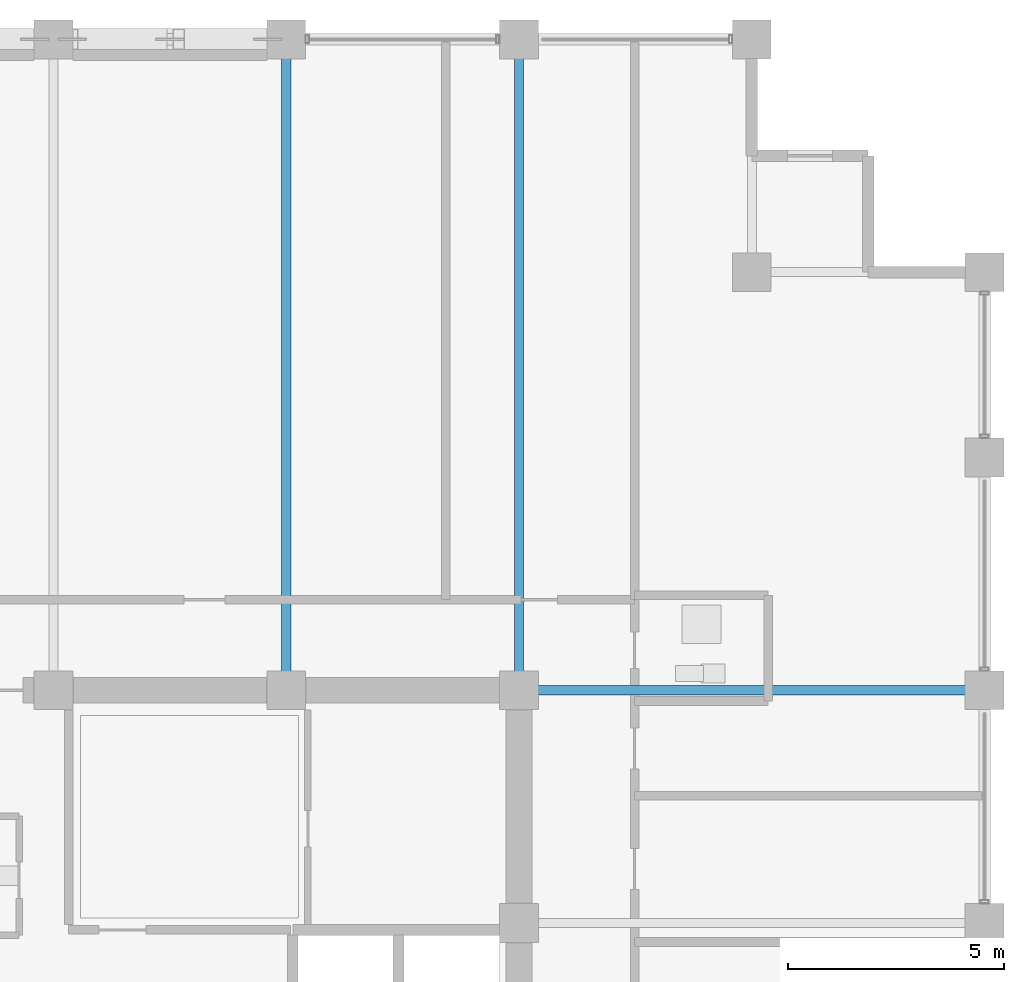
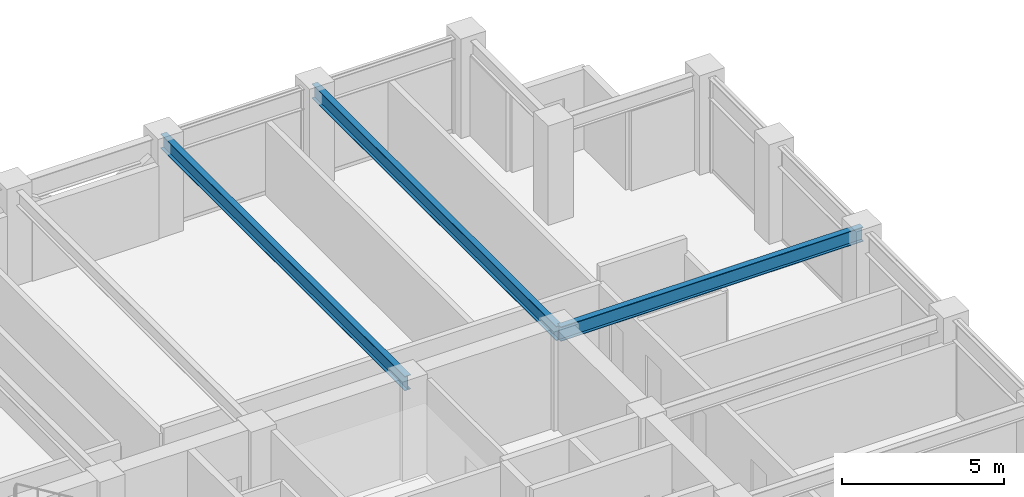
# One storey, part 22 of 32: 3 beams.
"""IFC4 building model written with IfcOpenShell, lengths in metres."""

from ifc_helpers import new_model, si_unit, direction, frame, origin, origin_2d, place, context, subcontext, project, spatial, i_section, extrude, material, material_profile, profile_set, type_object, element, save


model = new_model("IFC4")

# Units and contexts
model_context = context("Model", 3, precision=1e-05, world=origin(), true_north=direction((0.0, 1.0)))
body_context = subcontext(model_context, "Body", "Model", "MODEL_VIEW")
ifc_project = project(units=[si_unit("LENGTHUNIT", "METRE"), si_unit("AREAUNIT", "SQUARE_METRE"), si_unit("VOLUMEUNIT", "CUBIC_METRE"), si_unit("PLANEANGLEUNIT", "RADIAN"), si_unit("MASSUNIT", "GRAM", prefix="KILO")], contexts=[model_context])

# Site, building, storey
site_placement = place(None, origin())
site = spatial("IfcSite", under=ifc_project, at=site_placement, CompositionType="ELEMENT")
building_placement = place(site_placement, origin())
building = spatial("IfcBuilding", under=site, at=building_placement, Name="Surkhivell Harbour Commons", CompositionType="ELEMENT")
storey_placement = place(building_placement, frame((0.0, 0.0, 208.5)))
storey = spatial("IfcBuildingStorey", under=building, at=storey_placement, Name="L54", CompositionType="ELEMENT", Elevation=208.5)

# Beams
ifc_material = material(Name="Steel S355", Category="steel")
ifc_material_profile = material_profile(ifc_material, i_section(OverallWidth=0.2119140625, OverallDepth=0.5439453125, WebThickness=0.0126953125, FlangeThickness=0.021240234375, at=origin_2d()), Name="UB533x210x122")
ifc_profile_set = profile_set([ifc_material_profile], Name="Steel S355")
beam_type = type_object("IfcBeamType", Name="BM-GRD-533A", PredefinedType="BEAM", material=ifc_profile_set)
for number, where, z_axis, x_axis, name in (
    (1, (5.39990234375, 10.800048828125, 3.298095703125), (0.0, 1.0, 0.0), (-1.0, 0.0, 0.0), "L54 Floor Girder (5.4,10.8)"),
    (2, (10.800048828125, 10.800048828125, 3.298095703125), (0.0, 1.0, 0.0), (-1.0, 0.0, 0.0), "L54 Floor Girder (10.8,10.8)"),
):
    element("IfcBeam", number, at=place(storey_placement, frame(where, z_axis=z_axis, x_axis=x_axis)), inside=storey, type_object=beam_type, Name=name, PredefinedType="BEAM", context=body_context, shape_type="SweptSolid", body=[
        extrude(i_section(OverallWidth=0.2119140625, OverallDepth=0.5439453125, WebThickness=0.0126953125, FlangeThickness=0.021240234375, at=origin_2d()), origin(), (0.0, 0.0, 1.0), 15.099853515625),
    ])
beam_placement = place(storey_placement, frame((10.800048828125, 10.800048828125, 3.298095703125), z_axis=(1.0, 0.0, 0.0), x_axis=(0.0, 1.0, 0.0)))
element("IfcBeam", 3, at=beam_placement, inside=storey, type_object=beam_type, Name="L54 Floor Girder (10.8,10.8)", PredefinedType="BEAM", context=body_context, shape_type="SweptSolid", body=[
    extrude(i_section(OverallWidth=0.2119140625, OverallDepth=0.5439453125, WebThickness=0.0126953125, FlangeThickness=0.021240234375, at=origin_2d()), origin(), (0.0, 0.0, 1.0), 10.800048828125),
])

save(model, "model.ifc")
